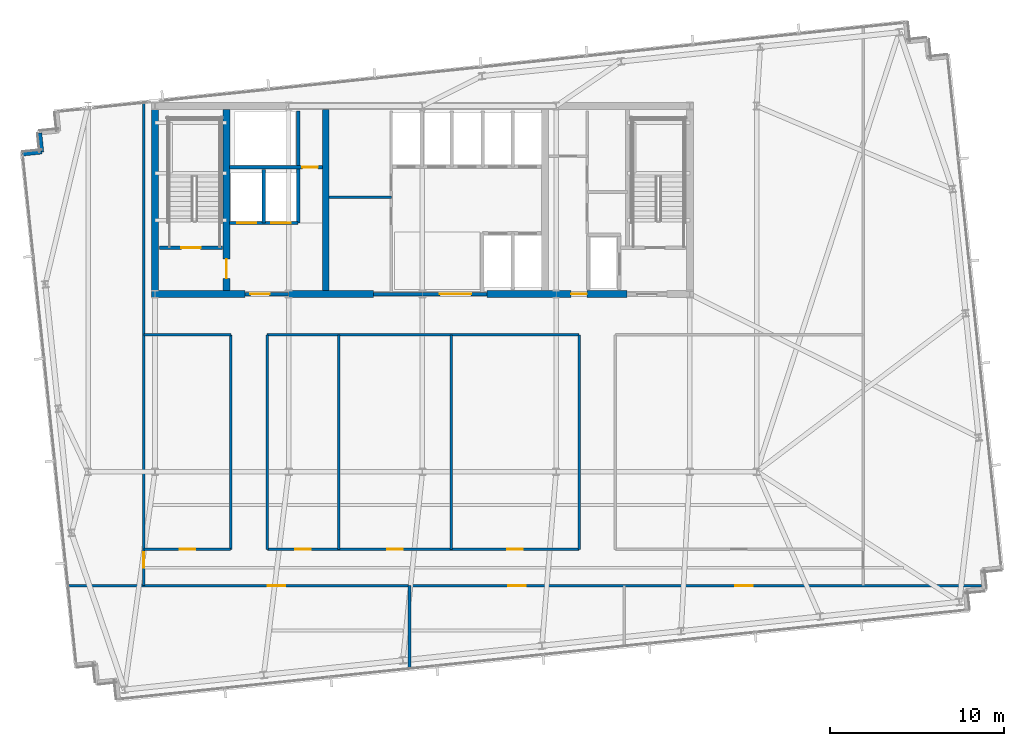
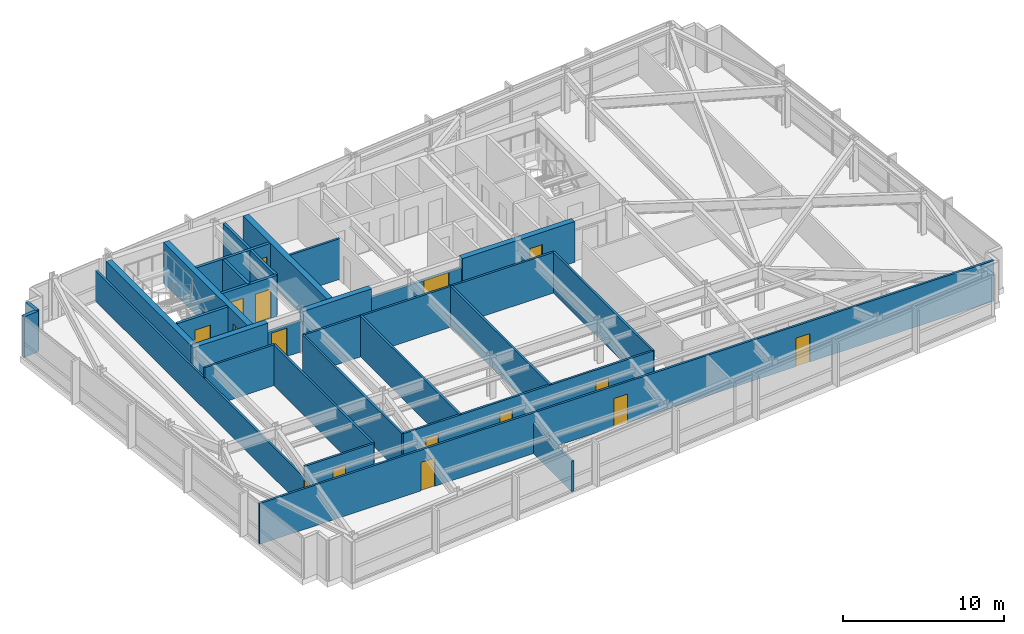
# One storey, part 20 of 26: 28 walls, 16 doors, 16 openings.
"""IFC4 building model written with IfcOpenShell, lengths in metres."""

from ifc_helpers import new_model, si_unit, direction, frame, frame_2d, origin, place, context, subcontext, project, spatial, rectangle, extrude, material, layer, layer_set, type_object, element, fill, save


model = new_model("IFC4")

# Units and contexts
model_context = context("Model", 3, precision=1e-05, world=origin(), true_north=direction((0.0, 1.0)))
body_context = subcontext(model_context, "Body", "Model", "MODEL_VIEW")
ifc_project = project(units=[si_unit("LENGTHUNIT", "METRE"), si_unit("AREAUNIT", "SQUARE_METRE"), si_unit("VOLUMEUNIT", "CUBIC_METRE"), si_unit("PLANEANGLEUNIT", "RADIAN"), si_unit("MASSUNIT", "GRAM", prefix="KILO")], contexts=[model_context])

# Site, building, storey
site_placement = place(None, origin())
site = spatial("IfcSite", under=ifc_project, at=site_placement, CompositionType="ELEMENT")
building_placement = place(site_placement, origin())
building = spatial("IfcBuilding", under=site, at=building_placement, Name="Yelkora Congress Tower", CompositionType="ELEMENT")
storey_placement = place(building_placement, frame((0.0, 0.0, 204.5)))
storey = spatial("IfcBuildingStorey", under=building, at=storey_placement, Name="L56", CompositionType="ELEMENT", Elevation=204.5)

# Walls
ifc_material_1 = material(Name="Concrete C50/60", Category="concrete")
ifc_layer_1 = layer(ifc_material_1, 0.39990234375)
ifc_layer_set_1 = layer_set([ifc_layer_1], Name="Concrete C50/60")
wall_type_1 = type_object("IfcWallType", Name="WALL-CORE-INT-400", PredefinedType="SHEAR", material=ifc_layer_set_1)
wall_1_placement = place(storey_placement, frame((22.840087890625, 35.39990234375, 0.0), z_axis=(0.0, 0.0, 1.0), x_axis=(1.0, 0.0, 0.0)))
element("IfcWall", 1, at=wall_1_placement, inside=storey, type_object=wall_type_1, Name="L56 Rear Core South-West Shear Wall", PredefinedType="SHEAR", context=body_context, shape_type="SweptSolid", body=[
    extrude(rectangle(XDim=5.35986328125, YDim=0.39990234375, at=frame_2d((2.679931640625, 0.0))), origin(), (0.0, 0.0, 1.0), 3.080078125),
])
wall_2_placement = place(storey_placement, frame((30.719970703125, 35.39990234375, 0.0), z_axis=(0.0, 0.0, 1.0), x_axis=(1.0, 0.0, 0.0)))
element("IfcWall", 2, at=wall_2_placement, inside=storey, type_object=wall_type_1, Name="L56 Rear Core South-Center Shear Pier", PredefinedType="SHEAR", context=body_context, shape_type="SweptSolid", body=[
    extrude(rectangle(XDim=4.880126953125, YDim=0.39990234375, at=frame_2d((2.43994140625, 0.0))), origin(), (0.0, 0.0, 1.0), 3.080078125),
])

# Wall, opening, door
wall_3_placement = place(storey_placement, frame((42.10009765625, 35.39990234375, 0.0), z_axis=(0.0, 0.0, 1.0), x_axis=(1.0, 0.0, 0.0)))
wall_3 = element("IfcWall", 3, at=wall_3_placement, inside=storey, type_object=wall_type_1, Name="L56 Rear Core South-East Shear Wall A", PredefinedType="SHEAR", context=body_context, shape_type="SweptSolid", body=[
    extrude(rectangle(XDim=8.0498046875, YDim=0.39990234375, at=frame_2d((4.02490234375, 0.0))), origin(), (0.0, 0.0, 1.0), 3.080078125),
])
opening_1_placement = place(wall_3_placement, frame((4.85009765625, 0.0, 0.0)))
opening_1 = element("IfcOpeningElement", 4, at=opening_1_placement, cuts=wall_3, Name="Opening DR-090F6", PredefinedType="OPENING", context=body_context, shape_type="SweptSolid", body=[
    extrude(rectangle(XDim=0.89990234375, YDim=2.14990234375, at=frame_2d((0.449951171875, 1.074951171875))), frame((0.0, 0.2099609375, 0.0), z_axis=(0.0, -1.0, 0.0), x_axis=(1.0, 0.0, 0.0)), (0.0, 0.0, 1.0), 0.419921875),
])
ifc_material_2 = material(Name="Painted steel riser fire door leaf", Category="steel")
door_type_1 = type_object("IfcDoorType", Name="DOOR-FD60-900", OperationType="NOTDEFINED", PredefinedType="DOOR", material=ifc_material_2)
door_1_placement = place(opening_1_placement, origin())
door_1 = element("IfcDoor", 5, at=door_1_placement, inside=storey, type_object=door_type_1, Name="L56 Core Washroom Lobby Door", OperationType="SINGLE_SWING_RIGHT", OverallHeight=2.14990234375, OverallWidth=0.89990234375, PredefinedType="DOOR", context=body_context, shape_type="SweptSolid", body=[
    extrude(rectangle(XDim=0.89990234375, YDim=2.14990234375, at=frame_2d((0.449951171875, 1.074951171875))), frame((0.0, 0.02490234375, 0.0), z_axis=(0.0, -1.0, 0.0), x_axis=(1.0, 0.0, 0.0)), (0.0, 0.0, 1.0), 0.050048828125),
])
fill(opening_1, door_1)

# Wall
wall_4_placement = place(storey_placement, frame((23.0400390625, 35.60009765625, 0.0), z_axis=(0.0, 0.0, 1.0), x_axis=(0.0, 1.0, 0.0)))
element("IfcWall", 6, at=wall_4_placement, inside=storey, type_object=wall_type_1, Name="L56 Rear Core Cross Shear Wall W", PredefinedType="SHEAR", context=body_context, shape_type="SweptSolid", body=[
    extrude(rectangle(XDim=10.39990234375, YDim=0.39990234375, at=frame_2d((5.199951171875, 0.0))), origin(), (0.0, 0.0, 1.0), 3.080078125),
])

# Wall, opening, door
wall_5_placement = place(storey_placement, frame((27.14990234375, 35.60009765625, 0.0), z_axis=(0.0, 0.0, 1.0), x_axis=(0.0, 1.0, 0.0)))
wall_5 = element("IfcWall", 7, at=wall_5_placement, inside=storey, type_object=wall_type_1, Name="L56 Rear Core Cross Shear Wall C1", PredefinedType="SHEAR", context=body_context, shape_type="SweptSolid", body=[
    extrude(rectangle(XDim=10.39990234375, YDim=0.39990234375, at=frame_2d((5.199951171875, 0.0))), origin(), (0.0, 0.0, 1.0), 3.080078125),
])
opening_2_placement = place(wall_5_placement, frame((0.699951171875, 0.0, 0.0)))
opening_2 = element("IfcOpeningElement", 8, at=opening_2_placement, cuts=wall_5, Name="Opening DR-110F9", PredefinedType="OPENING", context=body_context, shape_type="SweptSolid", body=[
    extrude(rectangle(XDim=1.10009765625, YDim=2.14990234375, at=frame_2d((0.550048828125, 1.074951171875))), frame((0.0, 0.2099609375, 0.0), z_axis=(0.0, -1.0, 0.0), x_axis=(1.0, 0.0, 0.0)), (0.0, 0.0, 1.0), 0.419921875),
])
ifc_material_3 = material(Name="Galvanised steel fire door leaf", Category="steel")
door_type_2 = type_object("IfcDoorType", Name="DOOR-FD90-1100", OperationType="NOTDEFINED", PredefinedType="DOOR", material=ifc_material_3)
door_2_placement = place(opening_2_placement, origin())
door_2 = element("IfcDoor", 9, at=door_2_placement, inside=storey, type_object=door_type_2, Name="L56 Firefighting Stair Transfer Door", OperationType="SINGLE_SWING_LEFT", OverallHeight=2.14990234375, OverallWidth=1.10009765625, PredefinedType="DOOR", context=body_context, shape_type="SweptSolid", body=[
    extrude(rectangle(XDim=1.10009765625, YDim=2.14990234375, at=frame_2d((0.550048828125, 1.074951171875))), frame((0.0, 0.02490234375, 0.0), z_axis=(0.0, -1.0, 0.0), x_axis=(1.0, 0.0, 0.0)), (0.0, 0.0, 1.0), 0.050048828125),
])
fill(opening_2, door_2)

# Walls
wall_6_placement = place(storey_placement, frame((32.85009765625, 35.60009765625, 0.0), z_axis=(0.0, 0.0, 1.0), x_axis=(0.0, 1.0, 0.0)))
element("IfcWall", 10, at=wall_6_placement, inside=storey, type_object=wall_type_1, Name="L56 Rear Core Cross Shear Wall C2", PredefinedType="SHEAR", context=body_context, shape_type="SweptSolid", body=[
    extrude(rectangle(XDim=10.39990234375, YDim=0.39990234375, at=frame_2d((5.199951171875, 0.0))), origin(), (0.0, 0.0, 1.0), 3.080078125),
])
ifc_material_4 = material(Name="Concrete C40/50", Category="concrete")
ifc_layer_2 = layer(ifc_material_4, 0.239990234375)
ifc_layer_set_2 = layer_set([ifc_layer_2], Name="Concrete C40/50")
wall_type_2 = type_object("IfcWallType", Name="WALL-EXT-LIMESTONE-240", PredefinedType="SOLIDWALL", material=ifc_layer_set_2)
wall_7_placement = place(storey_placement, frame((15.441162109375, 43.444580078125, 0.0), z_axis=(0.0, 0.0, 1.0), x_axis=(0.994495717747, 0.104777227405, 0.0)))
element("IfcWall", 11, at=wall_7_placement, inside=storey, type_object=wall_type_2, Name="L56 Serrated Corner Limestone Pier 6", PredefinedType="SOLIDWALL", context=body_context, shape_type="SweptSolid", body=[
    extrude(rectangle(XDim=1.099853515625, YDim=0.239990234375, at=frame_2d((0.5498046875, 0.0))), origin(), (0.0, 0.0, 1.0), 3.080078125),
])
wall_8_placement = place(storey_placement, frame((16.534912109375, 43.559814453125, 0.0), z_axis=(0.0, 0.0, 1.0), x_axis=(-0.104315068386, 0.994544300928, 0.0)))
element("IfcWall", 12, at=wall_8_placement, inside=storey, type_object=wall_type_2, Name="L56 Serrated Corner Limestone Pier 7", PredefinedType="SOLIDWALL", context=body_context, shape_type="SweptSolid", body=[
    extrude(rectangle(XDim=1.10009765625, YDim=0.239990234375, at=frame_2d((0.550048828125, 0.0))), origin(), (0.0, 0.0, 1.0), 3.080078125),
])
ifc_material_5 = material(Name="Acoustic metal-stud gypsum partition", Category="gypsum")
ifc_layer_3 = layer(ifc_material_5, 0.14990234375)
ifc_layer_set_3 = layer_set([ifc_layer_3], Name="Acoustic metal-stud gypsum partition")
wall_type_3 = type_object("IfcWallType", Name="WALL-INT-150-NR", PredefinedType="PARTITIONING", material=ifc_layer_set_3)
wall_9_placement = place(storey_placement, frame((37.657958984375, 13.82470703125, 0.0), z_axis=(0.0, 0.0, 1.0), x_axis=(0.0, 1.0, 0.0)))
element("IfcWall", 13, at=wall_9_placement, inside=storey, type_object=wall_type_3, Name="L56 Partition Wall 27", PredefinedType="PARTITIONING", context=body_context, shape_type="SweptSolid", body=[
    extrude(rectangle(XDim=4.84521484375, YDim=0.14990234375, at=frame_2d((2.422607421875, 0.0))), origin(), (0.0, 0.0, 1.0), 2.31298828125),
])

# Wall, openings, doors
wall_10_placement = place(storey_placement, frame((17.98681640625, 18.64990234375, 0.0), z_axis=(0.0, 0.0, 1.0), x_axis=(1.0, 0.0, 0.0)))
wall_10 = element("IfcWall", 14, at=wall_10_placement, inside=storey, type_object=wall_type_3, Name="L56 South Spine Wall", PredefinedType="PARTITIONING", context=body_context, shape_type="SweptSolid", body=[
    extrude(rectangle(XDim=52.533203125, YDim=0.14990234375, at=frame_2d((26.2666015625, 0.0))), origin(), (0.0, 0.0, 1.0), 3.080078125),
])
opening_3_placement = place(wall_10_placement, frame((11.542236328125, 0.0, 0.0)))
opening_3 = element("IfcOpeningElement", 15, at=opening_3_placement, cuts=wall_10, Name="Opening DR-100N", PredefinedType="OPENING", context=body_context, shape_type="SweptSolid", body=[
    extrude(rectangle(XDim=1.0, YDim=2.14990234375, at=frame_2d((0.5, 1.074951171875))), frame((0.0, 0.0849609375, 0.0), z_axis=(0.0, -1.0, 0.0), x_axis=(1.0, 0.0, 0.0)), (0.0, 0.0, 1.0), 0.169921875),
])
opening_4_placement = place(wall_10_placement, frame((25.34521484375, 0.0, 0.0)))
opening_4 = element("IfcOpeningElement", 16, at=opening_4_placement, cuts=wall_10, Name="Opening DR-100N", PredefinedType="OPENING", context=body_context, shape_type="SweptSolid", body=[
    extrude(rectangle(XDim=1.0, YDim=2.14990234375, at=frame_2d((0.5, 1.074951171875))), frame((0.0, 0.0849609375, 0.0), z_axis=(0.0, -1.0, 0.0), x_axis=(1.0, 0.0, 0.0)), (0.0, 0.0, 1.0), 0.169921875),
])
opening_5_placement = place(wall_10_placement, frame((38.376220703125, 0.0, 0.0)))
opening_5 = element("IfcOpeningElement", 17, at=opening_5_placement, cuts=wall_10, Name="Opening DR-100N", PredefinedType="OPENING", context=body_context, shape_type="SweptSolid", body=[
    extrude(rectangle(XDim=1.0, YDim=2.14990234375, at=frame_2d((0.5, 1.074951171875))), frame((0.0, 0.0849609375, 0.0), z_axis=(0.0, -1.0, 0.0), x_axis=(1.0, 0.0, 0.0)), (0.0, 0.0, 1.0), 0.169921875),
])
ifc_material_6 = material(Name="Solid-core Anatolian oak veneer door", Category="wood")
door_type_3 = type_object("IfcDoorType", Name="DOOR-INT-1000", OperationType="NOTDEFINED", PredefinedType="DOOR", material=ifc_material_6)
door_3_placement = place(opening_3_placement, origin())
door_3 = element("IfcDoor", 18, at=door_3_placement, inside=storey, type_object=door_type_3, Name="L56 Sky Lobby Concourse Door", OperationType="SINGLE_SWING_RIGHT", OverallHeight=2.14990234375, OverallWidth=1.0, PredefinedType="DOOR", context=body_context, shape_type="SweptSolid", body=[
    extrude(rectangle(XDim=1.0, YDim=2.14990234375, at=frame_2d((0.5, 1.074951171875))), frame((0.0, 0.02490234375, 0.0), z_axis=(0.0, -1.0, 0.0), x_axis=(1.0, 0.0, 0.0)), (0.0, 0.0, 1.0), 0.050048828125),
])
fill(opening_3, door_3)
door_4_placement = place(opening_4_placement, origin())
door_4 = element("IfcDoor", 19, at=door_4_placement, inside=storey, type_object=door_type_3, Name="L56 Sky Reception Lounge Door", OperationType="SINGLE_SWING_LEFT", OverallHeight=2.14990234375, OverallWidth=1.0, PredefinedType="DOOR", context=body_context, shape_type="SweptSolid", body=[
    extrude(rectangle(XDim=1.0, YDim=2.14990234375, at=frame_2d((0.5, 1.074951171875))), frame((0.0, 0.02490234375, 0.0), z_axis=(0.0, -1.0, 0.0), x_axis=(1.0, 0.0, 0.0)), (0.0, 0.0, 1.0), 0.050048828125),
])
fill(opening_4, door_4)
door_5_placement = place(opening_5_placement, origin())
door_5 = element("IfcDoor", 20, at=door_5_placement, inside=storey, type_object=door_type_3, Name="L56 Transfer Bar & Kitchenette Door", OperationType="SINGLE_SWING_RIGHT", OverallHeight=2.14990234375, OverallWidth=1.0, PredefinedType="DOOR", context=body_context, shape_type="SweptSolid", body=[
    extrude(rectangle(XDim=1.0, YDim=2.14990234375, at=frame_2d((0.5, 1.074951171875))), frame((0.0, 0.02490234375, 0.0), z_axis=(0.0, -1.0, 0.0), x_axis=(1.0, 0.0, 0.0)), (0.0, 0.0, 1.0), 0.050048828125),
])
fill(opening_5, door_5)

# Wall, opening, door
wall_11_placement = place(storey_placement, frame((22.39990234375, 18.64990234375, 0.0), z_axis=(0.0, 0.0, 1.0), x_axis=(0.0, 1.0, 0.0)))
wall_11 = element("IfcWall", 21, at=wall_11_placement, inside=storey, type_object=wall_type_3, Name="L56 Partition Wall 30", PredefinedType="PARTITIONING", context=body_context, shape_type="SweptSolid", body=[
    extrude(rectangle(XDim=27.798583984375, YDim=0.14990234375, at=frame_2d((13.8994140625, 0.0))), origin(), (0.0, 0.0, 1.0), 2.31298828125),
])
opening_6_placement = place(wall_11_placement, frame((1.030029296875, 0.0, 0.0)))
opening_6 = element("IfcOpeningElement", 22, at=opening_6_placement, cuts=wall_11, Name="Opening DR-090N", PredefinedType="OPENING", context=body_context, shape_type="SweptSolid", body=[
    extrude(rectangle(XDim=0.89990234375, YDim=2.14990234375, at=frame_2d((0.449951171875, 1.074951171875))), frame((0.0, 0.0849609375, 0.0), z_axis=(0.0, -1.0, 0.0), x_axis=(1.0, 0.0, 0.0)), (0.0, 0.0, 1.0), 0.169921875),
])
ifc_material_7 = material(Name="Moisture-resistant laminate door leaf", Category="wood")
door_type_4 = type_object("IfcDoorType", Name="DOOR-INT-900", OperationType="NOTDEFINED", PredefinedType="DOOR", material=ifc_material_7)
door_6_placement = place(opening_6_placement, origin())
door_6 = element("IfcDoor", 23, at=door_6_placement, inside=storey, type_object=door_type_4, Name="L56 W Wing Door", OperationType="SINGLE_SWING_LEFT", OverallHeight=2.14990234375, OverallWidth=0.89990234375, PredefinedType="DOOR", context=body_context, shape_type="SweptSolid", body=[
    extrude(rectangle(XDim=0.89990234375, YDim=2.14990234375, at=frame_2d((0.449951171875, 1.074951171875))), frame((0.0, 0.02490234375, 0.0), z_axis=(0.0, -1.0, 0.0), x_axis=(1.0, 0.0, 0.0)), (0.0, 0.0, 1.0), 0.050048828125),
])
fill(opening_6, door_6)

# Walls
for number, where, z_axis, x_axis, name in (
    (24, (27.39990234375, 20.72998046875, 0.0), (0.0, 0.0, 1.0), (0.0, 1.0, 0.0), "L56 Partition Wall 32"),
    (25, (29.47998046875, 20.72998046875, 0.0), (0.0, 0.0, 1.0), (0.0, 1.0, 0.0), "L56 Partition Wall 33"),
    (26, (47.39990234375, 20.72998046875, 0.0), (0.0, 0.0, 1.0), (0.0, 1.0, 0.0), "L56 Partition Wall 34"),
):
    element("IfcWall", number, at=place(storey_placement, frame(where, z_axis=z_axis, x_axis=x_axis)), inside=storey, type_object=wall_type_3, Name=name, PredefinedType="PARTITIONING", context=body_context, shape_type="SweptSolid", body=[
        extrude(rectangle(XDim=12.320068359375, YDim=0.14990234375, at=frame_2d((6.16015625, 0.0))), origin(), (0.0, 0.0, 1.0), 3.080078125),
    ])
wall_12_placement = place(storey_placement, frame((22.39990234375, 33.050048828125, 0.0), z_axis=(0.0, 0.0, 1.0), x_axis=(1.0, 0.0, 0.0)))
element("IfcWall", 27, at=wall_12_placement, inside=storey, type_object=wall_type_3, Name="L56 Partition Wall 36", PredefinedType="PARTITIONING", context=body_context, shape_type="SweptSolid", body=[
    extrude(rectangle(XDim=5.0, YDim=0.14990234375, at=frame_2d((2.5, 0.0))), origin(), (0.0, 0.0, 1.0), 3.080078125),
])
wall_13_placement = place(storey_placement, frame((29.47998046875, 33.050048828125, 0.0), z_axis=(0.0, 0.0, 1.0), x_axis=(1.0, 0.0, 0.0)))
element("IfcWall", 28, at=wall_13_placement, inside=storey, type_object=wall_type_3, Name="L56 Partition Wall 37", PredefinedType="PARTITIONING", context=body_context, shape_type="SweptSolid", body=[
    extrude(rectangle(XDim=17.919921875, YDim=0.14990234375, at=frame_2d((8.9599609375, 0.0))), origin(), (0.0, 0.0, 1.0), 3.080078125),
])

# Wall, opening, door
wall_14_placement = place(storey_placement, frame((22.419921875, 20.72998046875, 0.0), z_axis=(0.0, 0.0, 1.0), x_axis=(1.0, 0.0, 0.0)))
wall_14 = element("IfcWall", 29, at=wall_14_placement, inside=storey, type_object=wall_type_3, Name="L56 Partition Wall 39", PredefinedType="PARTITIONING", context=body_context, shape_type="SweptSolid", body=[
    extrude(rectangle(XDim=4.969970703125, YDim=0.14990234375, at=frame_2d((2.48486328125, 0.0))), origin(), (0.0, 0.0, 1.0), 3.080078125),
])
opening_7_placement = place(wall_14_placement, frame((2.034912109375, 0.0, 0.0)))
opening_7 = element("IfcOpeningElement", 30, at=opening_7_placement, cuts=wall_14, Name="Opening DR-090N", PredefinedType="OPENING", context=body_context, shape_type="SweptSolid", body=[
    extrude(rectangle(XDim=0.89990234375, YDim=2.14990234375, at=frame_2d((0.449951171875, 1.074951171875))), frame((0.0, 0.0849609375, 0.0), z_axis=(0.0, -1.0, 0.0), x_axis=(1.0, 0.0, 0.0)), (0.0, 0.0, 1.0), 0.169921875),
])
door_7_placement = place(opening_7_placement, origin())
door_7 = element("IfcDoor", 31, at=door_7_placement, inside=storey, type_object=door_type_4, Name="L56 Catering Servery Kitchen Door", OperationType="SINGLE_SWING_LEFT", OverallHeight=2.14990234375, OverallWidth=0.89990234375, PredefinedType="DOOR", context=body_context, shape_type="SweptSolid", body=[
    extrude(rectangle(XDim=0.89990234375, YDim=2.14990234375, at=frame_2d((0.449951171875, 1.074951171875))), frame((0.0, 0.02490234375, 0.0), z_axis=(0.0, -1.0, 0.0), x_axis=(1.0, 0.0, 0.0)), (0.0, 0.0, 1.0), 0.050048828125),
])
fill(opening_7, door_7)

# Walls
for number, where, z_axis, x_axis, name in (
    (32, (33.60693359375, 20.72998046875, 0.0), (0.0, 0.0, 1.0), (0.0, 1.0, 0.0), "L56 Partition Wall 40"),
    (33, (40.051025390625, 20.72998046875, 0.0), (0.0, 0.0, 1.0), (0.0, 1.0, 0.0), "L56 Partition Wall 41"),
):
    element("IfcWall", number, at=place(storey_placement, frame(where, z_axis=z_axis, x_axis=x_axis)), inside=storey, type_object=wall_type_3, Name=name, PredefinedType="PARTITIONING", context=body_context, shape_type="SweptSolid", body=[
        extrude(rectangle(XDim=12.320068359375, YDim=0.14990234375, at=frame_2d((6.16015625, 0.0))), origin(), (0.0, 0.0, 1.0), 3.080078125),
    ])

# Wall, openings, doors
wall_15_placement = place(storey_placement, frame((29.489990234375, 20.72998046875, 0.0), z_axis=(0.0, 0.0, 1.0), x_axis=(1.0, 0.0, 0.0)))
wall_15 = element("IfcWall", 34, at=wall_15_placement, inside=storey, type_object=wall_type_3, Name="L56 Partition Wall 42", PredefinedType="PARTITIONING", context=body_context, shape_type="SweptSolid", body=[
    extrude(rectangle(XDim=17.89990234375, YDim=0.14990234375, at=frame_2d((8.949951171875, 0.0))), origin(), (0.0, 0.0, 1.0), 3.080078125),
])
opening_8_placement = place(wall_15_placement, frame((1.6083984375, 0.0, 0.0)))
opening_8 = element("IfcOpeningElement", 35, at=opening_8_placement, cuts=wall_15, Name="Opening DR-090N", PredefinedType="OPENING", context=body_context, shape_type="SweptSolid", body=[
    extrude(rectangle(XDim=0.89990234375, YDim=2.14990234375, at=frame_2d((0.449951171875, 1.074951171875))), frame((0.0, 0.0849609375, 0.0), z_axis=(0.0, -1.0, 0.0), x_axis=(1.0, 0.0, 0.0)), (0.0, 0.0, 1.0), 0.169921875),
])
opening_9_placement = place(wall_15_placement, frame((6.888916015625, 0.0, 0.0)))
opening_9 = element("IfcOpeningElement", 36, at=opening_9_placement, cuts=wall_15, Name="Opening DR-090N", PredefinedType="OPENING", context=body_context, shape_type="SweptSolid", body=[
    extrude(rectangle(XDim=0.89990234375, YDim=2.14990234375, at=frame_2d((0.449951171875, 1.074951171875))), frame((0.0, 0.0849609375, 0.0), z_axis=(0.0, -1.0, 0.0), x_axis=(1.0, 0.0, 0.0)), (0.0, 0.0, 1.0), 0.169921875),
])
opening_10_placement = place(wall_15_placement, frame((13.780517578125, 0.0, 0.0)))
opening_10 = element("IfcOpeningElement", 37, at=opening_10_placement, cuts=wall_15, Name="Opening DR-090N", PredefinedType="OPENING", context=body_context, shape_type="SweptSolid", body=[
    extrude(rectangle(XDim=0.89990234375, YDim=2.14990234375, at=frame_2d((0.449951171875, 1.074951171875))), frame((0.0, 0.0849609375, 0.0), z_axis=(0.0, -1.0, 0.0), x_axis=(1.0, 0.0, 0.0)), (0.0, 0.0, 1.0), 0.169921875),
])
door_8_placement = place(opening_8_placement, origin())
door_8 = element("IfcDoor", 38, at=door_8_placement, inside=storey, type_object=door_type_4, Name="L56 Business Concierge Office Door", OperationType="SINGLE_SWING_RIGHT", OverallHeight=2.14990234375, OverallWidth=0.89990234375, PredefinedType="DOOR", context=body_context, shape_type="SweptSolid", body=[
    extrude(rectangle(XDim=0.89990234375, YDim=2.14990234375, at=frame_2d((0.449951171875, 1.074951171875))), frame((0.0, 0.02490234375, 0.0), z_axis=(0.0, -1.0, 0.0), x_axis=(1.0, 0.0, 0.0)), (0.0, 0.0, 1.0), 0.050048828125),
])
fill(opening_8, door_8)
door_9_placement = place(opening_9_placement, origin())
door_9 = element("IfcDoor", 39, at=door_9_placement, inside=storey, type_object=door_type_4, Name="L56 Refreshment Galley Door", OperationType="SINGLE_SWING_LEFT", OverallHeight=2.14990234375, OverallWidth=0.89990234375, PredefinedType="DOOR", context=body_context, shape_type="SweptSolid", body=[
    extrude(rectangle(XDim=0.89990234375, YDim=2.14990234375, at=frame_2d((0.449951171875, 1.074951171875))), frame((0.0, 0.02490234375, 0.0), z_axis=(0.0, -1.0, 0.0), x_axis=(1.0, 0.0, 0.0)), (0.0, 0.0, 1.0), 0.050048828125),
])
fill(opening_9, door_9)
door_10_placement = place(opening_10_placement, origin())
door_10 = element("IfcDoor", 40, at=door_10_placement, inside=storey, type_object=door_type_4, Name="L56 Catering Servery Kitchen Door", OperationType="SINGLE_SWING_RIGHT", OverallHeight=2.14990234375, OverallWidth=0.89990234375, PredefinedType="DOOR", context=body_context, shape_type="SweptSolid", body=[
    extrude(rectangle(XDim=0.89990234375, YDim=2.14990234375, at=frame_2d((0.449951171875, 1.074951171875))), frame((0.0, 0.02490234375, 0.0), z_axis=(0.0, -1.0, 0.0), x_axis=(1.0, 0.0, 0.0)), (0.0, 0.0, 1.0), 0.050048828125),
])
fill(opening_10, door_10)

# Wall
ifc_material_8 = material(Name="Twin-stud fire-rated gypsum partition", Category="gypsum")
ifc_layer_4 = layer(ifc_material_8, 0.14990234375)
ifc_layer_set_4 = layer_set([ifc_layer_4], Name="Twin-stud fire-rated gypsum partition")
wall_type_4 = type_object("IfcWallType", Name="WALL-INT-150-R60", PredefinedType="PARTITIONING", material=ifc_layer_set_4)
wall_16_placement = place(storey_placement, frame((33.050048828125, 40.949951171875, 0.0), z_axis=(0.0, 0.0, 1.0), x_axis=(1.0, 0.0, 0.0)))
element("IfcWall", 41, at=wall_16_placement, inside=storey, type_object=wall_type_4, Name="L56 Partition Wall 11", PredefinedType="PARTITIONING", context=body_context, shape_type="SweptSolid", body=[
    extrude(rectangle(XDim=3.570068359375, YDim=0.14990234375, at=frame_2d((1.78515625, 0.0))), origin(), (0.0, 0.0, 1.0), 3.080078125),
])

# Wall, opening, door
ifc_material_9 = material(Name="Autoclaved aerated concrete blockwork", Category="masonry")
ifc_layer_5 = layer(ifc_material_9, 0.199951171875)
ifc_layer_set_5 = layer_set([ifc_layer_5], Name="Autoclaved aerated concrete blockwork")
wall_type_5 = type_object("IfcWallType", Name="WALL-INT-200-R120", PredefinedType="PARTITIONING", material=ifc_layer_set_5)
wall_17_placement = place(storey_placement, frame((23.300048828125, 38.050048828125, 0.0), z_axis=(0.0, 0.0, 1.0), x_axis=(1.0, 0.0, 0.0)))
wall_17 = element("IfcWall", 42, at=wall_17_placement, inside=storey, type_object=wall_type_5, Name="L56 Stair ST-01 Enclosure Wall", PredefinedType="PARTITIONING", context=body_context, shape_type="SweptSolid", body=[
    extrude(rectangle(XDim=3.619873046875, YDim=0.199951171875, at=frame_2d((1.81005859375, 0.0))), origin(), (0.0, 0.0, 1.0), 3.080078125),
])
opening_11_placement = place(wall_17_placement, frame((1.260009765625, 0.0, 0.0)))
opening_11 = element("IfcOpeningElement", 43, at=opening_11_placement, cuts=wall_17, Name="Opening DR-110F9", PredefinedType="OPENING", context=body_context, shape_type="SweptSolid", body=[
    extrude(rectangle(XDim=1.10009765625, YDim=2.14990234375, at=frame_2d((0.550048828125, 1.074951171875))), frame((0.0, 0.10986328125, 0.0), z_axis=(0.0, -1.0, 0.0), x_axis=(1.0, 0.0, 0.0)), (0.0, 0.0, 1.0), 0.219970703125),
])
door_11_placement = place(opening_11_placement, origin())
door_11 = element("IfcDoor", 44, at=door_11_placement, inside=storey, type_object=door_type_2, Name="L56 Stair ST-01 Entry Door", OperationType="SINGLE_SWING_LEFT", OverallHeight=2.14990234375, OverallWidth=1.10009765625, PredefinedType="DOOR", context=body_context, shape_type="SweptSolid", body=[
    extrude(rectangle(XDim=1.10009765625, YDim=2.14990234375, at=frame_2d((0.550048828125, 1.074951171875))), frame((0.0, 0.02490234375, 0.0), z_axis=(0.0, -1.0, 0.0), x_axis=(1.0, 0.0, 0.0)), (0.0, 0.0, 1.0), 0.050048828125),
])
fill(opening_11, door_11)

wall_18_placement = place(storey_placement, frame((28.219970703125, 35.39990234375, 0.0), z_axis=(0.0, 0.0, 1.0), x_axis=(1.0, 0.0, 0.0)))
wall_18 = element("IfcWall", 45, at=wall_18_placement, inside=storey, type_object=wall_type_5, Name="L56 Firefighting Lobby South Wall", PredefinedType="PARTITIONING", context=body_context, shape_type="SweptSolid", body=[
    extrude(rectangle(XDim=2.5, YDim=0.199951171875, at=frame_2d((1.25, 0.0))), origin(), (0.0, 0.0, 1.0), 2.31298828125),
])
opening_12_placement = place(wall_18_placement, frame((0.300048828125, 0.0, 0.0)))
opening_12 = element("IfcOpeningElement", 46, at=opening_12_placement, cuts=wall_18, Name="Opening DR-110F9", PredefinedType="OPENING", context=body_context, shape_type="SweptSolid", body=[
    extrude(rectangle(XDim=1.10009765625, YDim=2.14990234375, at=frame_2d((0.550048828125, 1.074951171875))), frame((0.0, 0.10986328125, 0.0), z_axis=(0.0, -1.0, 0.0), x_axis=(1.0, 0.0, 0.0)), (0.0, 0.0, 1.0), 0.219970703125),
])
door_12_placement = place(opening_12_placement, origin())
door_12 = element("IfcDoor", 47, at=door_12_placement, inside=storey, type_object=door_type_2, Name="L56 Firefighting Lobby Corridor Door", OperationType="SINGLE_SWING_RIGHT", OverallHeight=2.14990234375, OverallWidth=1.10009765625, PredefinedType="DOOR", context=body_context, shape_type="SweptSolid", body=[
    extrude(rectangle(XDim=1.10009765625, YDim=2.14990234375, at=frame_2d((0.550048828125, 1.074951171875))), frame((0.0, 0.02490234375, 0.0), z_axis=(0.0, -1.0, 0.0), x_axis=(1.0, 0.0, 0.0)), (0.0, 0.0, 1.0), 0.050048828125),
])
fill(opening_12, door_12)

# Wall, openings, doors
wall_19_placement = place(storey_placement, frame((27.320068359375, 39.47998046875, 0.0), z_axis=(0.0, 0.0, 1.0), x_axis=(1.0, 0.0, 0.0)))
wall_19 = element("IfcWall", 48, at=wall_19_placement, inside=storey, type_object=wall_type_5, Name="L56 Firefighting Lift Front Wall", PredefinedType="PARTITIONING", context=body_context, shape_type="SweptSolid", body=[
    extrude(rectangle(XDim=3.93994140625, YDim=0.199951171875, at=frame_2d((1.969970703125, 0.0))), origin(), (0.0, 0.0, 1.0), 3.080078125),
])
opening_13_placement = place(wall_19_placement, frame((0.449951171875, 0.0, 0.0)))
opening_13 = element("IfcOpeningElement", 49, at=opening_13_placement, cuts=wall_19, Name="Opening LD-FF11", PredefinedType="OPENING", context=body_context, shape_type="SweptSolid", body=[
    extrude(rectangle(XDim=1.10009765625, YDim=2.199951171875, at=frame_2d((0.550048828125, 1.10009765625))), frame((0.0, 0.10986328125, 0.0), z_axis=(0.0, -1.0, 0.0), x_axis=(1.0, 0.0, 0.0)), (0.0, 0.0, 1.0), 0.219970703125),
])
opening_14_placement = place(wall_19_placement, frame((2.409912109375, 0.0, 0.0)))
opening_14 = element("IfcOpeningElement", 50, at=opening_14_placement, cuts=wall_19, Name="Opening LD-FF11", PredefinedType="OPENING", context=body_context, shape_type="SweptSolid", body=[
    extrude(rectangle(XDim=1.10009765625, YDim=2.199951171875, at=frame_2d((0.550048828125, 1.10009765625))), frame((0.0, 0.10986328125, 0.0), z_axis=(0.0, -1.0, 0.0), x_axis=(1.0, 0.0, 0.0)), (0.0, 0.0, 1.0), 0.219970703125),
])
ifc_material_10 = material(Name="Brushed stainless steel 316L landing door", Category="steel")
door_type_5 = type_object("IfcDoorType", Name="DOOR-LIFT-FF-1100", OperationType="DOUBLE_DOOR_SLIDING", PredefinedType="DOOR", material=ifc_material_10)
door_13_placement = place(opening_13_placement, origin())
door_13 = element("IfcDoor", 51, at=door_13_placement, inside=storey, type_object=door_type_5, Name="Lift Landing Door LF-FF1 L56", OperationType="DOUBLE_DOOR_SLIDING", OverallHeight=2.199951171875, OverallWidth=1.10009765625, PredefinedType="DOOR", context=body_context, shape_type="SweptSolid", body=[
    extrude(rectangle(XDim=1.10009765625, YDim=2.199951171875, at=frame_2d((0.550048828125, 1.10009765625))), frame((0.0, 0.02490234375, 0.0), z_axis=(0.0, -1.0, 0.0), x_axis=(1.0, 0.0, 0.0)), (0.0, 0.0, 1.0), 0.050048828125),
])
fill(opening_13, door_13)
door_14_placement = place(opening_14_placement, origin())
door_14 = element("IfcDoor", 52, at=door_14_placement, inside=storey, type_object=door_type_5, Name="Lift Landing Door LF-FF2 L56", OperationType="DOUBLE_DOOR_SLIDING", OverallHeight=2.199951171875, OverallWidth=1.10009765625, PredefinedType="DOOR", context=body_context, shape_type="SweptSolid", body=[
    extrude(rectangle(XDim=1.10009765625, YDim=2.199951171875, at=frame_2d((0.550048828125, 1.10009765625))), frame((0.0, 0.02490234375, 0.0), z_axis=(0.0, -1.0, 0.0), x_axis=(1.0, 0.0, 0.0)), (0.0, 0.0, 1.0), 0.050048828125),
])
fill(opening_14, door_14)

# Walls
wall_20_placement = place(storey_placement, frame((29.300048828125, 39.47998046875, 0.0), z_axis=(0.0, 0.0, 1.0), x_axis=(0.0, 1.0, 0.0)))
element("IfcWall", 53, at=wall_20_placement, inside=storey, type_object=wall_type_5, Name="L56 Partition Wall 4", PredefinedType="PARTITIONING", context=body_context, shape_type="SweptSolid", body=[
    extrude(rectangle(XDim=3.070068359375, YDim=0.199951171875, at=frame_2d((1.53515625, 0.0))), origin(), (0.0, 0.0, 1.0), 3.080078125),
])
wall_21_placement = place(storey_placement, frame((31.260009765625, 39.47998046875, 0.0), z_axis=(0.0, 0.0, 1.0), x_axis=(0.0, 1.0, 0.0)))
element("IfcWall", 54, at=wall_21_placement, inside=storey, type_object=wall_type_5, Name="L56 Partition Wall 5", PredefinedType="PARTITIONING", context=body_context, shape_type="SweptSolid", body=[
    extrude(rectangle(XDim=6.43994140625, YDim=0.199951171875, at=frame_2d((3.219970703125, 0.0))), origin(), (0.0, 0.0, 1.0), 3.080078125),
])

# Wall, opening, door
wall_22_placement = place(storey_placement, frame((27.320068359375, 42.679931640625, 0.0), z_axis=(0.0, 0.0, 1.0), x_axis=(1.0, 0.0, 0.0)))
wall_22 = element("IfcWall", 55, at=wall_22_placement, inside=storey, type_object=wall_type_5, Name="L56 Smoke Riser South Wall", PredefinedType="PARTITIONING", context=body_context, shape_type="SweptSolid", body=[
    extrude(rectangle(XDim=5.329833984375, YDim=0.199951171875, at=frame_2d((2.6650390625, 0.0))), origin(), (0.0, 0.0, 1.0), 3.080078125),
])
opening_15_placement = place(wall_22_placement, frame((4.179931640625, 0.0, 0.0)))
opening_15 = element("IfcOpeningElement", 56, at=opening_15_placement, cuts=wall_22, Name="Opening DR-090F6", PredefinedType="OPENING", context=body_context, shape_type="SweptSolid", body=[
    extrude(rectangle(XDim=0.89990234375, YDim=2.14990234375, at=frame_2d((0.449951171875, 1.074951171875))), frame((0.0, 0.10986328125, 0.0), z_axis=(0.0, -1.0, 0.0), x_axis=(1.0, 0.0, 0.0)), (0.0, 0.0, 1.0), 0.219970703125),
])
door_15_placement = place(opening_15_placement, origin())
door_15 = element("IfcDoor", 57, at=door_15_placement, inside=storey, type_object=door_type_1, Name="L56 Riser Access Door", OperationType="SINGLE_SWING_LEFT", OverallHeight=2.14990234375, OverallWidth=0.89990234375, PredefinedType="DOOR", context=body_context, shape_type="SweptSolid", body=[
    extrude(rectangle(XDim=0.89990234375, YDim=2.14990234375, at=frame_2d((0.449951171875, 1.074951171875))), frame((0.0, 0.02490234375, 0.0), z_axis=(0.0, -1.0, 0.0), x_axis=(1.0, 0.0, 0.0)), (0.0, 0.0, 1.0), 0.050048828125),
])
fill(opening_15, door_15)

wall_23_placement = place(storey_placement, frame((35.60009765625, 35.39990234375, 0.0), z_axis=(0.0, 0.0, 1.0), x_axis=(1.0, 0.0, 0.0)))
wall_23 = element("IfcWall", 58, at=wall_23_placement, inside=storey, type_object=wall_type_5, Name="L56 Main Lift Lobby South Portal Wall", PredefinedType="PARTITIONING", context=body_context, shape_type="SweptSolid", body=[
    extrude(rectangle(XDim=6.5, YDim=0.199951171875, at=frame_2d((3.25, 0.0))), origin(), (0.0, 0.0, 1.0), 2.31298828125),
])
opening_16_placement = place(wall_23_placement, frame((3.800048828125, 0.0, 0.0)))
opening_16 = element("IfcOpeningElement", 59, at=opening_16_placement, cuts=wall_23, Name="Opening DR-180D", PredefinedType="OPENING", context=body_context, shape_type="SweptSolid", body=[
    extrude(rectangle(XDim=1.800048828125, YDim=2.300048828125, at=frame_2d((0.89990234375, 1.14990234375))), frame((0.0, 0.10986328125, 0.0), z_axis=(0.0, -1.0, 0.0), x_axis=(1.0, 0.0, 0.0)), (0.0, 0.0, 1.0), 0.219970703125),
])
ifc_material_11 = material(Name="Acoustic double congress hall doors", Category="wood")
door_type_6 = type_object("IfcDoorType", Name="DOOR-DBL-1800", OperationType="DOUBLE_DOOR_SINGLE_SWING", PredefinedType="DOOR", material=ifc_material_11)
door_16_placement = place(opening_16_placement, origin())
door_16 = element("IfcDoor", 60, at=door_16_placement, inside=storey, type_object=door_type_6, Name="L56 Main Lift Lobby Portal Door", OperationType="DOUBLE_DOOR_SINGLE_SWING", OverallHeight=2.300048828125, OverallWidth=1.800048828125, PredefinedType="DOOR", context=body_context, shape_type="SweptSolid", body=[
    extrude(rectangle(XDim=1.800048828125, YDim=2.300048828125, at=frame_2d((0.89990234375, 1.14990234375))), frame((0.0, 0.02490234375, 0.0), z_axis=(0.0, -1.0, 0.0), x_axis=(1.0, 0.0, 0.0)), (0.0, 0.0, 1.0), 0.050048828125),
])
fill(opening_16, door_16)

save(model, "model.ifc")
